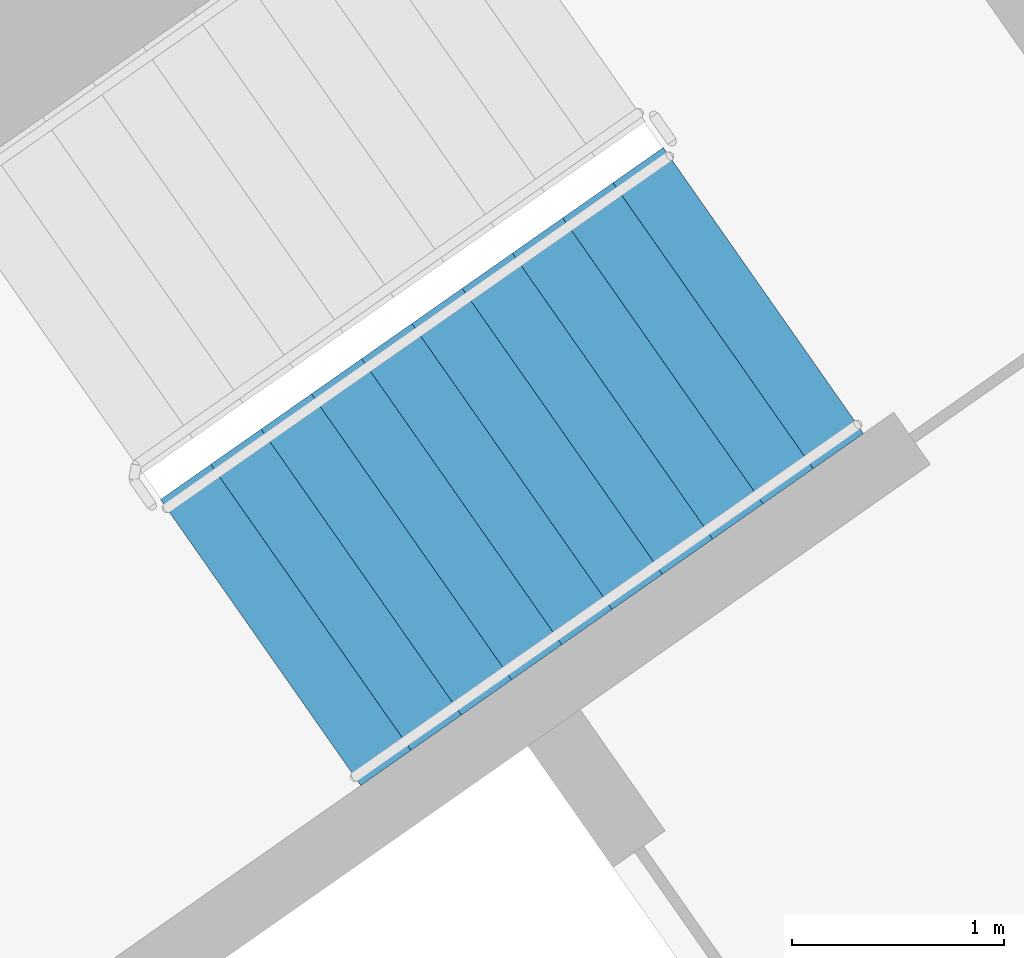
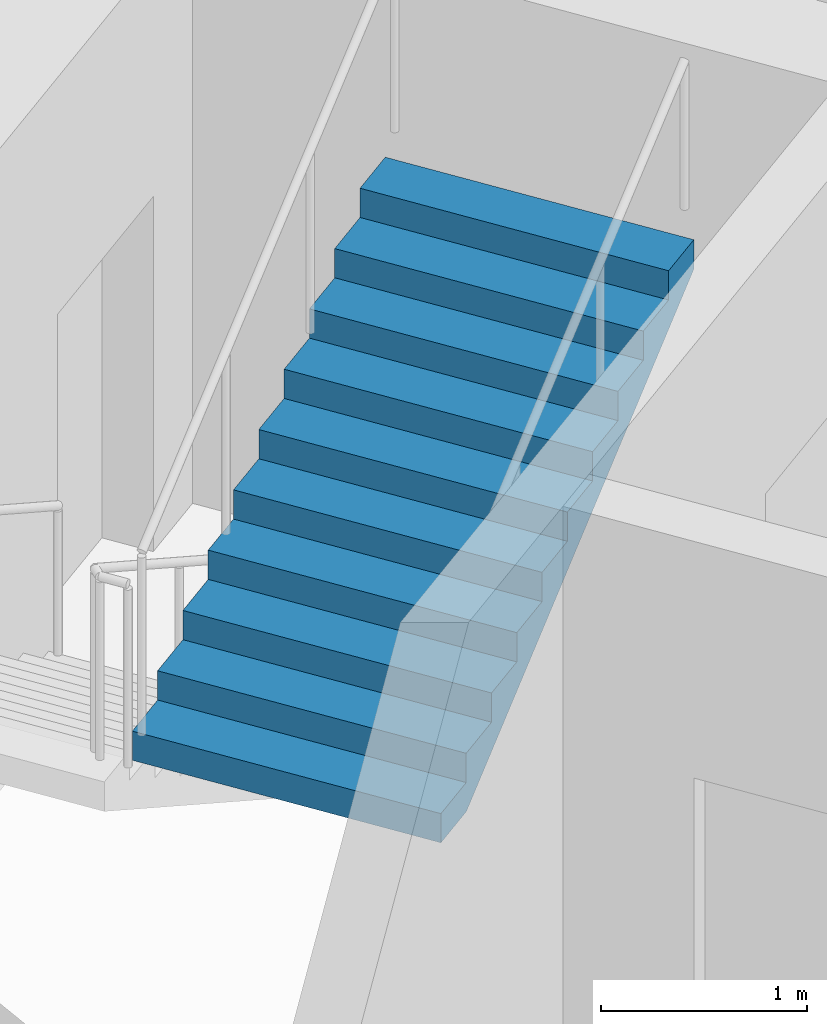
# One storey, part 13 of 31: 1 stair flight, 1 element without a shape of its own.
"""IFC4 building model written with IfcOpenShell, lengths in metres."""

from ifc_helpers import new_model, si_unit, direction, frame, origin, place, context, subcontext, project, spatial, faceted_brep, material, type_object, element, aggregate, save


model = new_model("IFC4")

# Units and contexts
model_context = context("Model", 3, precision=1e-05, world=origin(), true_north=direction((0.0, 1.0)))
body_context = subcontext(model_context, "Body", "Model", "MODEL_VIEW")
ifc_project = project(units=[si_unit("LENGTHUNIT", "METRE"), si_unit("AREAUNIT", "SQUARE_METRE"), si_unit("VOLUMEUNIT", "CUBIC_METRE"), si_unit("PLANEANGLEUNIT", "RADIAN"), si_unit("MASSUNIT", "GRAM", prefix="KILO")], contexts=[model_context])

# Site, building, storey
site_placement = place(None, origin())
site = spatial("IfcSite", under=ifc_project, at=site_placement, CompositionType="ELEMENT")
building_placement = place(site_placement, origin())
building = spatial("IfcBuilding", under=site, at=building_placement, Name="Qamariyya Broadcast Tower", CompositionType="ELEMENT")
storey_placement = place(building_placement, frame((0.0, 0.0, 149.300048828125)))
storey = spatial("IfcBuildingStorey", under=building, at=storey_placement, Name="L34", CompositionType="ELEMENT", Elevation=149.300048828125)

# Stair, stair flight
ifc_material = material(Name="Concrete C50/60", Category="concrete")
stair_type = type_object("IfcStairType", Name="Exit stair 22 risers of 173 mm", PredefinedType="HALF_TURN_STAIR", material=ifc_material)
stair_placement = place(storey_placement, origin())
stair = element("IfcStair", 1, at=stair_placement, inside=storey, type_object=stair_type, Name="L34 Stair E2", PredefinedType="HALF_TURN_STAIR")
stair_flight_type = type_object("IfcStairFlightType", Name="Exit stair flight 11 risers of 173 mm", PredefinedType="STRAIGHT", material=ifc_material)
stair_flight_placement = place(storey_placement, frame((39.215576171875, -50.822998046875, 1.89990234375), z_axis=(0.0, 0.0, 1.0), x_axis=(0.819152044289, 0.573576436351, 0.0)))
stair_flight = element("IfcStairFlight", 2, at=stair_flight_placement, type_object=stair_flight_type, Name="ST-E2 flight 2", NumberOfRisers=11, NumberOfTreads=10, PredefinedType="STRAIGHT", RiserHeight=0.172727273, TreadLength=0.29, context=body_context, shape_type="Brep", body=[
    faceted_brep([(0.0, 0.824951171875, 0.0), (0.0, 0.824951171875, 0.172607421875), (0.2900390625, 0.824951171875, 0.172607421875), (0.2900390625, 0.824951171875, 0.345458984375), (0.580078125, 0.824951171875, 0.345458984375), (0.580078125, 0.824951171875, 0.51806640625), (0.8701171875, 0.824951171875, 0.51806640625), (0.8701171875, 0.824951171875, 0.69091796875), (1.159912109375, 0.824951171875, 0.69091796875), (1.159912109375, 0.824951171875, 0.863525390625), (1.449951171875, 0.824951171875, 0.863525390625), (1.449951171875, 0.824951171875, 1.036376953125), (1.739990234375, 0.824951171875, 1.036376953125), (1.739990234375, 0.824951171875, 1.208984375), (2.030029296875, 0.824951171875, 1.208984375), (2.030029296875, 0.824951171875, 1.3818359375), (2.320068359375, 0.824951171875, 1.3818359375), (2.320068359375, 0.824951171875, 1.554443359375), (2.610107421875, 0.824951171875, 1.554443359375), (2.610107421875, 0.824951171875, 1.727294921875), (2.89990234375, 0.824951171875, 1.727294921875), (2.89990234375, 0.824951171875, 1.552734375), (0.29296875, 0.824951171875, 0.0), (0.29296875, -0.824951171875, 0.0), (2.89990234375, -0.824951171875, 1.552734375), (2.89990234375, -0.824951171875, 1.727294921875), (2.610107421875, -0.824951171875, 1.727294921875), (2.610107421875, -0.824951171875, 1.554443359375), (2.320068359375, -0.824951171875, 1.554443359375), (2.320068359375, -0.824951171875, 1.3818359375), (2.030029296875, -0.824951171875, 1.3818359375), (2.030029296875, -0.824951171875, 1.208984375), (1.739990234375, -0.824951171875, 1.208984375), (1.739990234375, -0.824951171875, 1.036376953125), (1.449951171875, -0.824951171875, 1.036376953125), (1.449951171875, -0.824951171875, 0.863525390625), (1.159912109375, -0.824951171875, 0.863525390625), (1.159912109375, -0.824951171875, 0.69091796875), (0.8701171875, -0.824951171875, 0.69091796875), (0.8701171875, -0.824951171875, 0.51806640625), (0.580078125, -0.824951171875, 0.51806640625), (0.580078125, -0.824951171875, 0.345458984375), (0.2900390625, -0.824951171875, 0.345458984375), (0.2900390625, -0.824951171875, 0.172607421875), (0.0, -0.824951171875, 0.172607421875), (0.0, -0.824951171875, 0.0), (0.0, 0.10009765625, 0.0), (0.0, 0.086669921875, 0.0), (0.0, 0.0732421875, 0.0), (0.0, 0.06005859375, 0.0), (0.0, 0.046630859375, 0.0), (0.0, 0.033447265625, 0.0), (0.0, 0.02001953125, 0.0), (0.0, 0.006591796875, 0.0), (0.0, -0.006591796875, 0.0), (0.0, -0.02001953125, 0.0), (0.0, -0.033447265625, 0.0), (0.0, -0.046630859375, 0.0), (0.0, -0.06005859375, 0.0), (0.0, -0.0732421875, 0.0), (0.0, -0.086669921875, 0.0), (0.0, -0.10009765625, 0.0), (0.0, -0.10009765625, 0.172607421875), (0.0, -0.086669921875, 0.172607421875), (0.0, -0.0732421875, 0.172607421875), (0.0, -0.06005859375, 0.172607421875), (0.0, -0.046630859375, 0.172607421875), (0.0, -0.033447265625, 0.172607421875), (0.0, -0.02001953125, 0.172607421875), (0.0, -0.006591796875, 0.172607421875), (0.0, 0.006591796875, 0.172607421875), (0.0, 0.02001953125, 0.172607421875), (0.0, 0.033447265625, 0.172607421875), (0.0, 0.046630859375, 0.172607421875), (0.0, 0.06005859375, 0.172607421875), (0.0, 0.0732421875, 0.172607421875), (0.0, 0.086669921875, 0.172607421875), (0.0, 0.10009765625, 0.172607421875), (0.2900390625, -0.10009765625, 0.172607421875), (0.2900390625, -0.086669921875, 0.172607421875), (0.2900390625, -0.0732421875, 0.172607421875), (0.2900390625, -0.06005859375, 0.172607421875), (0.2900390625, -0.046630859375, 0.172607421875), (0.2900390625, -0.033447265625, 0.172607421875), (0.2900390625, -0.02001953125, 0.172607421875), (0.2900390625, -0.006591796875, 0.172607421875), (0.2900390625, 0.006591796875, 0.172607421875), (0.2900390625, 0.02001953125, 0.172607421875), (0.2900390625, 0.033447265625, 0.172607421875), (0.2900390625, 0.046630859375, 0.172607421875), (0.2900390625, 0.06005859375, 0.172607421875), (0.2900390625, 0.0732421875, 0.172607421875), (0.2900390625, 0.086669921875, 0.172607421875), (0.2900390625, 0.10009765625, 0.172607421875), (0.2900390625, -0.10009765625, 0.345458984375), (0.2900390625, -0.086669921875, 0.345458984375), (0.2900390625, -0.0732421875, 0.345458984375), (0.2900390625, -0.06005859375, 0.345458984375), (0.2900390625, -0.046630859375, 0.345458984375), (0.2900390625, -0.033447265625, 0.345458984375), (0.2900390625, -0.02001953125, 0.345458984375), (0.2900390625, -0.006591796875, 0.345458984375), (0.2900390625, 0.006591796875, 0.345458984375), (0.2900390625, 0.02001953125, 0.345458984375), (0.2900390625, 0.033447265625, 0.345458984375), (0.2900390625, 0.046630859375, 0.345458984375), (0.2900390625, 0.06005859375, 0.345458984375), (0.2900390625, 0.0732421875, 0.345458984375), (0.2900390625, 0.086669921875, 0.345458984375), (0.2900390625, 0.10009765625, 0.345458984375), (0.580078125, -0.10009765625, 0.345458984375), (0.580078125, -0.086669921875, 0.345458984375), (0.580078125, -0.0732421875, 0.345458984375), (0.580078125, -0.06005859375, 0.345458984375), (0.580078125, -0.046630859375, 0.345458984375), (0.580078125, -0.033447265625, 0.345458984375), (0.580078125, -0.02001953125, 0.345458984375), (0.580078125, -0.006591796875, 0.345458984375), (0.580078125, 0.006591796875, 0.345458984375), (0.580078125, 0.02001953125, 0.345458984375), (0.580078125, 0.033447265625, 0.345458984375), (0.580078125, 0.046630859375, 0.345458984375), (0.580078125, 0.06005859375, 0.345458984375), (0.580078125, 0.0732421875, 0.345458984375), (0.580078125, 0.086669921875, 0.345458984375), (0.580078125, 0.10009765625, 0.345458984375), (0.580078125, -0.10009765625, 0.51806640625), (0.580078125, -0.086669921875, 0.51806640625), (0.580078125, -0.0732421875, 0.51806640625), (0.580078125, -0.06005859375, 0.51806640625), (0.580078125, -0.046630859375, 0.51806640625), (0.580078125, -0.033447265625, 0.51806640625), (0.580078125, -0.02001953125, 0.51806640625), (0.580078125, -0.006591796875, 0.51806640625), (0.580078125, 0.006591796875, 0.51806640625), (0.580078125, 0.02001953125, 0.51806640625), (0.580078125, 0.033447265625, 0.51806640625), (0.580078125, 0.046630859375, 0.51806640625), (0.580078125, 0.06005859375, 0.51806640625), (0.580078125, 0.0732421875, 0.51806640625), (0.580078125, 0.086669921875, 0.51806640625), (0.580078125, 0.10009765625, 0.51806640625), (0.8701171875, -0.10009765625, 0.51806640625), (0.8701171875, -0.086669921875, 0.51806640625), (0.8701171875, -0.0732421875, 0.51806640625), (0.8701171875, -0.06005859375, 0.51806640625), (0.8701171875, -0.046630859375, 0.51806640625), (0.8701171875, -0.033447265625, 0.51806640625), (0.8701171875, -0.02001953125, 0.51806640625), (0.8701171875, -0.006591796875, 0.51806640625), (0.8701171875, 0.006591796875, 0.51806640625), (0.8701171875, 0.02001953125, 0.51806640625), (0.8701171875, 0.033447265625, 0.51806640625), (0.8701171875, 0.046630859375, 0.51806640625), (0.8701171875, 0.06005859375, 0.51806640625), (0.8701171875, 0.0732421875, 0.51806640625), (0.8701171875, 0.086669921875, 0.51806640625), (0.8701171875, 0.10009765625, 0.51806640625), (0.8701171875, -0.10009765625, 0.69091796875), (0.8701171875, -0.086669921875, 0.69091796875), (0.8701171875, -0.0732421875, 0.69091796875), (0.8701171875, -0.06005859375, 0.69091796875), (0.8701171875, -0.046630859375, 0.69091796875), (0.8701171875, -0.033447265625, 0.69091796875), (0.8701171875, -0.02001953125, 0.69091796875), (0.8701171875, -0.006591796875, 0.69091796875), (0.8701171875, 0.006591796875, 0.69091796875), (0.8701171875, 0.02001953125, 0.69091796875), (0.8701171875, 0.033447265625, 0.69091796875), (0.8701171875, 0.046630859375, 0.69091796875), (0.8701171875, 0.06005859375, 0.69091796875), (0.8701171875, 0.0732421875, 0.69091796875), (0.8701171875, 0.086669921875, 0.69091796875), (0.8701171875, 0.10009765625, 0.69091796875), (1.159912109375, -0.10009765625, 0.69091796875), (1.159912109375, -0.086669921875, 0.69091796875), (1.159912109375, -0.0732421875, 0.69091796875), (1.159912109375, -0.06005859375, 0.69091796875), (1.159912109375, -0.046630859375, 0.69091796875), (1.159912109375, -0.033447265625, 0.69091796875), (1.159912109375, -0.02001953125, 0.69091796875), (1.159912109375, -0.006591796875, 0.69091796875), (1.159912109375, 0.006591796875, 0.69091796875), (1.159912109375, 0.02001953125, 0.69091796875), (1.159912109375, 0.033447265625, 0.69091796875), (1.159912109375, 0.046630859375, 0.69091796875), (1.159912109375, 0.06005859375, 0.69091796875), (1.159912109375, 0.0732421875, 0.69091796875), (1.159912109375, 0.086669921875, 0.69091796875), (1.159912109375, 0.10009765625, 0.69091796875), (1.159912109375, -0.10009765625, 0.863525390625), (1.159912109375, -0.086669921875, 0.863525390625), (1.159912109375, -0.0732421875, 0.863525390625), (1.159912109375, -0.06005859375, 0.863525390625), (1.159912109375, -0.046630859375, 0.863525390625), (1.159912109375, -0.033447265625, 0.863525390625), (1.159912109375, -0.02001953125, 0.863525390625), (1.159912109375, -0.006591796875, 0.863525390625), (1.159912109375, 0.006591796875, 0.863525390625), (1.159912109375, 0.02001953125, 0.863525390625), (1.159912109375, 0.033447265625, 0.863525390625), (1.159912109375, 0.046630859375, 0.863525390625), (1.159912109375, 0.06005859375, 0.863525390625), (1.159912109375, 0.0732421875, 0.863525390625), (1.159912109375, 0.086669921875, 0.863525390625), (1.159912109375, 0.10009765625, 0.863525390625), (1.449951171875, -0.10009765625, 0.863525390625), (1.449951171875, -0.086669921875, 0.863525390625), (1.449951171875, -0.0732421875, 0.863525390625), (1.449951171875, -0.06005859375, 0.863525390625), (1.449951171875, -0.046630859375, 0.863525390625), (1.449951171875, -0.033447265625, 0.863525390625), (1.449951171875, -0.02001953125, 0.863525390625), (1.449951171875, -0.006591796875, 0.863525390625), (1.449951171875, 0.006591796875, 0.863525390625), (1.449951171875, 0.02001953125, 0.863525390625), (1.449951171875, 0.033447265625, 0.863525390625), (1.449951171875, 0.046630859375, 0.863525390625), (1.449951171875, 0.06005859375, 0.863525390625), (1.449951171875, 0.0732421875, 0.863525390625), (1.449951171875, 0.086669921875, 0.863525390625), (1.449951171875, 0.10009765625, 0.863525390625), (1.449951171875, -0.10009765625, 1.036376953125), (1.449951171875, -0.086669921875, 1.036376953125), (1.449951171875, -0.0732421875, 1.036376953125), (1.449951171875, -0.06005859375, 1.036376953125), (1.449951171875, -0.046630859375, 1.036376953125), (1.449951171875, -0.033447265625, 1.036376953125), (1.449951171875, -0.02001953125, 1.036376953125), (1.449951171875, -0.006591796875, 1.036376953125), (1.449951171875, 0.006591796875, 1.036376953125), (1.449951171875, 0.02001953125, 1.036376953125), (1.449951171875, 0.033447265625, 1.036376953125), (1.449951171875, 0.046630859375, 1.036376953125), (1.449951171875, 0.06005859375, 1.036376953125), (1.449951171875, 0.0732421875, 1.036376953125), (1.449951171875, 0.086669921875, 1.036376953125), (1.449951171875, 0.10009765625, 1.036376953125), (1.739990234375, -0.10009765625, 1.036376953125), (1.739990234375, -0.086669921875, 1.036376953125), (1.739990234375, -0.0732421875, 1.036376953125), (1.739990234375, -0.06005859375, 1.036376953125), (1.739990234375, -0.046630859375, 1.036376953125), (1.739990234375, -0.033447265625, 1.036376953125), (1.739990234375, -0.02001953125, 1.036376953125), (1.739990234375, -0.006591796875, 1.036376953125), (1.739990234375, 0.006591796875, 1.036376953125), (1.739990234375, 0.02001953125, 1.036376953125), (1.739990234375, 0.033447265625, 1.036376953125), (1.739990234375, 0.046630859375, 1.036376953125), (1.739990234375, 0.06005859375, 1.036376953125), (1.739990234375, 0.0732421875, 1.036376953125), (1.739990234375, 0.086669921875, 1.036376953125), (1.739990234375, 0.10009765625, 1.036376953125), (1.739990234375, -0.10009765625, 1.208984375), (1.739990234375, -0.086669921875, 1.208984375), (1.739990234375, -0.0732421875, 1.208984375), (1.739990234375, -0.06005859375, 1.208984375), (1.739990234375, -0.046630859375, 1.208984375), (1.739990234375, -0.033447265625, 1.208984375), (1.739990234375, -0.02001953125, 1.208984375), (1.739990234375, -0.006591796875, 1.208984375), (1.739990234375, 0.006591796875, 1.208984375), (1.739990234375, 0.02001953125, 1.208984375), (1.739990234375, 0.033447265625, 1.208984375), (1.739990234375, 0.046630859375, 1.208984375), (1.739990234375, 0.06005859375, 1.208984375), (1.739990234375, 0.0732421875, 1.208984375), (1.739990234375, 0.086669921875, 1.208984375), (1.739990234375, 0.10009765625, 1.208984375), (2.030029296875, -0.10009765625, 1.208984375), (2.030029296875, -0.086669921875, 1.208984375), (2.030029296875, -0.0732421875, 1.208984375), (2.030029296875, -0.06005859375, 1.208984375), (2.030029296875, -0.046630859375, 1.208984375), (2.030029296875, -0.033447265625, 1.208984375), (2.030029296875, -0.02001953125, 1.208984375), (2.030029296875, -0.006591796875, 1.208984375), (2.030029296875, 0.006591796875, 1.208984375), (2.030029296875, 0.02001953125, 1.208984375), (2.030029296875, 0.033447265625, 1.208984375), (2.030029296875, 0.046630859375, 1.208984375), (2.030029296875, 0.06005859375, 1.208984375), (2.030029296875, 0.0732421875, 1.208984375), (2.030029296875, 0.086669921875, 1.208984375), (2.030029296875, 0.10009765625, 1.208984375), (2.030029296875, -0.10009765625, 1.3818359375), (2.030029296875, -0.086669921875, 1.3818359375), (2.030029296875, -0.0732421875, 1.3818359375), (2.030029296875, -0.06005859375, 1.3818359375), (2.030029296875, -0.046630859375, 1.3818359375), (2.030029296875, -0.033447265625, 1.3818359375), (2.030029296875, -0.02001953125, 1.3818359375), (2.030029296875, -0.006591796875, 1.3818359375), (2.030029296875, 0.006591796875, 1.3818359375), (2.030029296875, 0.02001953125, 1.3818359375), (2.030029296875, 0.033447265625, 1.3818359375), (2.030029296875, 0.046630859375, 1.3818359375), (2.030029296875, 0.06005859375, 1.3818359375), (2.030029296875, 0.0732421875, 1.3818359375), (2.030029296875, 0.086669921875, 1.3818359375), (2.030029296875, 0.10009765625, 1.3818359375), (2.320068359375, -0.10009765625, 1.3818359375), (2.320068359375, -0.086669921875, 1.3818359375), (2.320068359375, -0.0732421875, 1.3818359375), (2.320068359375, -0.06005859375, 1.3818359375), (2.320068359375, -0.046630859375, 1.3818359375), (2.320068359375, -0.033447265625, 1.3818359375), (2.320068359375, -0.02001953125, 1.3818359375), (2.320068359375, -0.006591796875, 1.3818359375), (2.320068359375, 0.006591796875, 1.3818359375), (2.320068359375, 0.02001953125, 1.3818359375), (2.320068359375, 0.033447265625, 1.3818359375), (2.320068359375, 0.046630859375, 1.3818359375), (2.320068359375, 0.06005859375, 1.3818359375), (2.320068359375, 0.0732421875, 1.3818359375), (2.320068359375, 0.086669921875, 1.3818359375), (2.320068359375, 0.10009765625, 1.3818359375), (2.320068359375, -0.10009765625, 1.554443359375), (2.320068359375, -0.086669921875, 1.554443359375), (2.320068359375, -0.0732421875, 1.554443359375), (2.320068359375, -0.06005859375, 1.554443359375), (2.320068359375, -0.046630859375, 1.554443359375), (2.320068359375, -0.033447265625, 1.554443359375), (2.320068359375, -0.02001953125, 1.554443359375), (2.320068359375, -0.006591796875, 1.554443359375), (2.320068359375, 0.006591796875, 1.554443359375), (2.320068359375, 0.02001953125, 1.554443359375), (2.320068359375, 0.033447265625, 1.554443359375), (2.320068359375, 0.046630859375, 1.554443359375), (2.320068359375, 0.06005859375, 1.554443359375), (2.320068359375, 0.0732421875, 1.554443359375), (2.320068359375, 0.086669921875, 1.554443359375), (2.320068359375, 0.10009765625, 1.554443359375), (2.610107421875, -0.10009765625, 1.554443359375), (2.610107421875, -0.086669921875, 1.554443359375), (2.610107421875, -0.0732421875, 1.554443359375), (2.610107421875, -0.06005859375, 1.554443359375), (2.610107421875, -0.046630859375, 1.554443359375), (2.610107421875, -0.033447265625, 1.554443359375), (2.610107421875, -0.02001953125, 1.554443359375), (2.610107421875, -0.006591796875, 1.554443359375), (2.610107421875, 0.006591796875, 1.554443359375), (2.610107421875, 0.02001953125, 1.554443359375), (2.610107421875, 0.033447265625, 1.554443359375), (2.610107421875, 0.046630859375, 1.554443359375), (2.610107421875, 0.06005859375, 1.554443359375), (2.610107421875, 0.0732421875, 1.554443359375), (2.610107421875, 0.086669921875, 1.554443359375), (2.610107421875, 0.10009765625, 1.554443359375), (2.610107421875, -0.10009765625, 1.727294921875), (2.610107421875, -0.086669921875, 1.727294921875), (2.610107421875, -0.0732421875, 1.727294921875), (2.610107421875, -0.06005859375, 1.727294921875), (2.610107421875, -0.046630859375, 1.727294921875), (2.610107421875, -0.033447265625, 1.727294921875), (2.610107421875, -0.02001953125, 1.727294921875), (2.610107421875, -0.006591796875, 1.727294921875), (2.610107421875, 0.006591796875, 1.727294921875), (2.610107421875, 0.02001953125, 1.727294921875), (2.610107421875, 0.033447265625, 1.727294921875), (2.610107421875, 0.046630859375, 1.727294921875), (2.610107421875, 0.06005859375, 1.727294921875), (2.610107421875, 0.0732421875, 1.727294921875), (2.610107421875, 0.086669921875, 1.727294921875), (2.610107421875, 0.10009765625, 1.727294921875), (2.89990234375, -0.10009765625, 1.727294921875), (2.89990234375, -0.086669921875, 1.727294921875), (2.89990234375, -0.0732421875, 1.727294921875), (2.89990234375, -0.06005859375, 1.727294921875), (2.89990234375, -0.046630859375, 1.727294921875), (2.89990234375, -0.033447265625, 1.727294921875), (2.89990234375, -0.02001953125, 1.727294921875), (2.89990234375, -0.006591796875, 1.727294921875), (2.89990234375, 0.006591796875, 1.727294921875), (2.89990234375, 0.02001953125, 1.727294921875), (2.89990234375, 0.033447265625, 1.727294921875), (2.89990234375, 0.046630859375, 1.727294921875), (2.89990234375, 0.06005859375, 1.727294921875), (2.89990234375, 0.0732421875, 1.727294921875), (2.89990234375, 0.086669921875, 1.727294921875), (2.89990234375, 0.10009765625, 1.727294921875), (2.89990234375, -0.10009765625, 1.552734375), (2.89990234375, -0.086669921875, 1.552734375), (2.89990234375, -0.0732421875, 1.552734375), (2.89990234375, -0.06005859375, 1.552734375), (2.89990234375, -0.046630859375, 1.552734375), (2.89990234375, -0.033447265625, 1.552734375), (2.89990234375, -0.02001953125, 1.552734375), (2.89990234375, -0.006591796875, 1.552734375), (2.89990234375, 0.006591796875, 1.552734375), (2.89990234375, 0.02001953125, 1.552734375), (2.89990234375, 0.033447265625, 1.552734375), (2.89990234375, 0.046630859375, 1.552734375), (2.89990234375, 0.06005859375, 1.552734375), (2.89990234375, 0.0732421875, 1.552734375), (2.89990234375, 0.086669921875, 1.552734375), (2.89990234375, 0.10009765625, 1.552734375), (0.29296875, -0.10009765625, 0.0), (0.29296875, -0.086669921875, 0.0), (0.29296875, -0.0732421875, 0.0), (0.29296875, -0.06005859375, 0.0), (0.29296875, -0.046630859375, 0.0), (0.29296875, -0.033447265625, 0.0), (0.29296875, -0.02001953125, 0.0), (0.29296875, -0.006591796875, 0.0), (0.29296875, 0.006591796875, 0.0), (0.29296875, 0.02001953125, 0.0), (0.29296875, 0.033447265625, 0.0), (0.29296875, 0.046630859375, 0.0), (0.29296875, 0.06005859375, 0.0), (0.29296875, 0.0732421875, 0.0), (0.29296875, 0.086669921875, 0.0), (0.29296875, 0.10009765625, 0.0)], [[[0, 1, 2, 3, 4, 5, 6, 7, 8, 9, 10, 11, 12, 13, 14, 15, 16, 17, 18, 19, 20, 21, 22]], [[23, 24, 25, 26, 27, 28, 29, 30, 31, 32, 33, 34, 35, 36, 37, 38, 39, 40, 41, 42, 43, 44, 45]], [[0, 46, 47, 48, 49, 50, 51, 52, 53, 54, 55, 56, 57, 58, 59, 60, 61, 45, 44, 62, 63, 64, 65, 66, 67, 68, 69, 70, 71, 72, 73, 74, 75, 76, 77, 1]], [[1, 77, 76, 75, 74, 73, 72, 71, 70, 69, 68, 67, 66, 65, 64, 63, 62, 44, 43, 78, 79, 80, 81, 82, 83, 84, 85, 86, 87, 88, 89, 90, 91, 92, 93, 2]], [[2, 93, 92, 91, 90, 89, 88, 87, 86, 85, 84, 83, 82, 81, 80, 79, 78, 43, 42, 94, 95, 96, 97, 98, 99, 100, 101, 102, 103, 104, 105, 106, 107, 108, 109, 3]], [[3, 109, 108, 107, 106, 105, 104, 103, 102, 101, 100, 99, 98, 97, 96, 95, 94, 42, 41, 110, 111, 112, 113, 114, 115, 116, 117, 118, 119, 120, 121, 122, 123, 124, 125, 4]], [[4, 125, 124, 123, 122, 121, 120, 119, 118, 117, 116, 115, 114, 113, 112, 111, 110, 41, 40, 126, 127, 128, 129, 130, 131, 132, 133, 134, 135, 136, 137, 138, 139, 140, 141, 5]], [[5, 141, 140, 139, 138, 137, 136, 135, 134, 133, 132, 131, 130, 129, 128, 127, 126, 40, 39, 142, 143, 144, 145, 146, 147, 148, 149, 150, 151, 152, 153, 154, 155, 156, 157, 6]], [[6, 157, 156, 155, 154, 153, 152, 151, 150, 149, 148, 147, 146, 145, 144, 143, 142, 39, 38, 158, 159, 160, 161, 162, 163, 164, 165, 166, 167, 168, 169, 170, 171, 172, 173, 7]], [[7, 173, 172, 171, 170, 169, 168, 167, 166, 165, 164, 163, 162, 161, 160, 159, 158, 38, 37, 174, 175, 176, 177, 178, 179, 180, 181, 182, 183, 184, 185, 186, 187, 188, 189, 8]], [[8, 189, 188, 187, 186, 185, 184, 183, 182, 181, 180, 179, 178, 177, 176, 175, 174, 37, 36, 190, 191, 192, 193, 194, 195, 196, 197, 198, 199, 200, 201, 202, 203, 204, 205, 9]], [[9, 205, 204, 203, 202, 201, 200, 199, 198, 197, 196, 195, 194, 193, 192, 191, 190, 36, 35, 206, 207, 208, 209, 210, 211, 212, 213, 214, 215, 216, 217, 218, 219, 220, 221, 10]], [[10, 221, 220, 219, 218, 217, 216, 215, 214, 213, 212, 211, 210, 209, 208, 207, 206, 35, 34, 222, 223, 224, 225, 226, 227, 228, 229, 230, 231, 232, 233, 234, 235, 236, 237, 11]], [[11, 237, 236, 235, 234, 233, 232, 231, 230, 229, 228, 227, 226, 225, 224, 223, 222, 34, 33, 238, 239, 240, 241, 242, 243, 244, 245, 246, 247, 248, 249, 250, 251, 252, 253, 12]], [[12, 253, 252, 251, 250, 249, 248, 247, 246, 245, 244, 243, 242, 241, 240, 239, 238, 33, 32, 254, 255, 256, 257, 258, 259, 260, 261, 262, 263, 264, 265, 266, 267, 268, 269, 13]], [[13, 269, 268, 267, 266, 265, 264, 263, 262, 261, 260, 259, 258, 257, 256, 255, 254, 32, 31, 270, 271, 272, 273, 274, 275, 276, 277, 278, 279, 280, 281, 282, 283, 284, 285, 14]], [[14, 285, 284, 283, 282, 281, 280, 279, 278, 277, 276, 275, 274, 273, 272, 271, 270, 31, 30, 286, 287, 288, 289, 290, 291, 292, 293, 294, 295, 296, 297, 298, 299, 300, 301, 15]], [[15, 301, 300, 299, 298, 297, 296, 295, 294, 293, 292, 291, 290, 289, 288, 287, 286, 30, 29, 302, 303, 304, 305, 306, 307, 308, 309, 310, 311, 312, 313, 314, 315, 316, 317, 16]], [[16, 317, 316, 315, 314, 313, 312, 311, 310, 309, 308, 307, 306, 305, 304, 303, 302, 29, 28, 318, 319, 320, 321, 322, 323, 324, 325, 326, 327, 328, 329, 330, 331, 332, 333, 17]], [[17, 333, 332, 331, 330, 329, 328, 327, 326, 325, 324, 323, 322, 321, 320, 319, 318, 28, 27, 334, 335, 336, 337, 338, 339, 340, 341, 342, 343, 344, 345, 346, 347, 348, 349, 18]], [[18, 349, 348, 347, 346, 345, 344, 343, 342, 341, 340, 339, 338, 337, 336, 335, 334, 27, 26, 350, 351, 352, 353, 354, 355, 356, 357, 358, 359, 360, 361, 362, 363, 364, 365, 19]], [[19, 365, 364, 363, 362, 361, 360, 359, 358, 357, 356, 355, 354, 353, 352, 351, 350, 26, 25, 366, 367, 368, 369, 370, 371, 372, 373, 374, 375, 376, 377, 378, 379, 380, 381, 20]], [[20, 381, 380, 379, 378, 377, 376, 375, 374, 373, 372, 371, 370, 369, 368, 367, 366, 25, 24, 382, 383, 384, 385, 386, 387, 388, 389, 390, 391, 392, 393, 394, 395, 396, 397, 21]], [[21, 397, 396, 395, 394, 393, 392, 391, 390, 389, 388, 387, 386, 385, 384, 383, 382, 24, 23, 398, 399, 400, 401, 402, 403, 404, 405, 406, 407, 408, 409, 410, 411, 412, 413, 22]], [[22, 413, 412, 411, 410, 409, 408, 407, 406, 405, 404, 403, 402, 401, 400, 399, 398, 23, 45, 61, 60, 59, 58, 57, 56, 55, 54, 53, 52, 51, 50, 49, 48, 47, 46, 0]]]),
])
aggregate(stair, [stair_flight])

save(model, "model.ifc")
